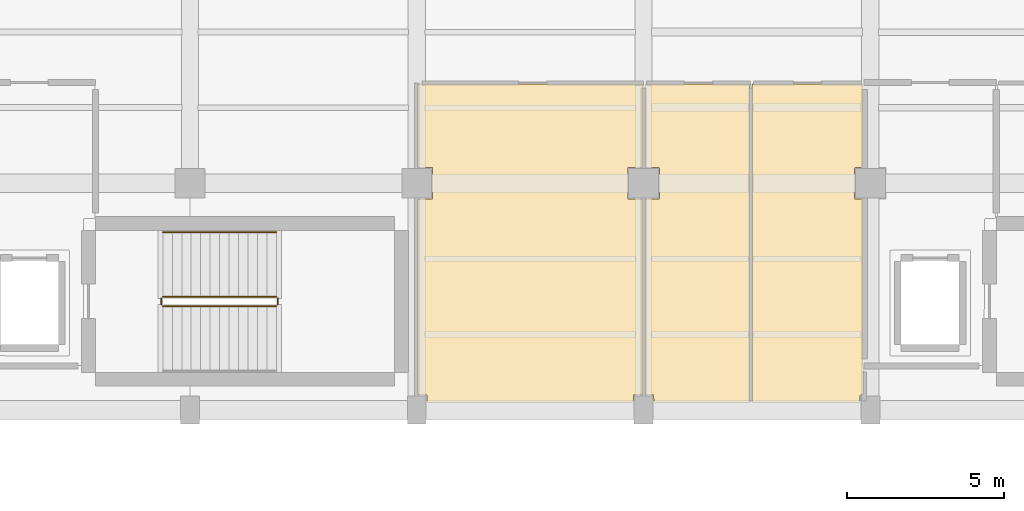
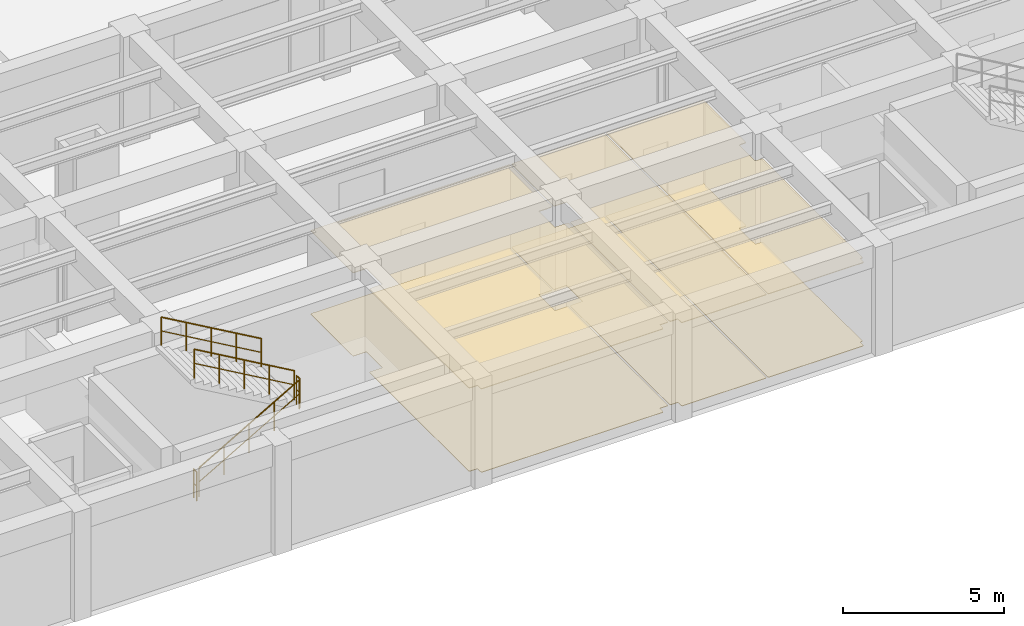
# One storey, part 30 of 34: 6 coverings, 5 railings.
"""IFC4 building model written with IfcOpenShell, lengths in metres."""

from ifc_helpers import new_model, si_unit, direction, frame, origin, origin_2d, place, context, subcontext, project, spatial, polyline, circle, outline, extrude, material, layer, layer_set, type_object, element, save


model = new_model("IFC4")

# Units and contexts
model_context = context("Model", 3, precision=1e-05, world=origin(), true_north=direction((0.0, 1.0)))
body_context = subcontext(model_context, "Body", "Model", "MODEL_VIEW")
ifc_project = project(units=[si_unit("LENGTHUNIT", "METRE"), si_unit("AREAUNIT", "SQUARE_METRE"), si_unit("VOLUMEUNIT", "CUBIC_METRE"), si_unit("PLANEANGLEUNIT", "RADIAN"), si_unit("MASSUNIT", "GRAM", prefix="KILO")], contexts=[model_context])

# Site, building, storey
site_placement = place(None, origin())
site = spatial("IfcSite", under=ifc_project, at=site_placement, CompositionType="ELEMENT")
building_placement = place(site_placement, origin())
building = spatial("IfcBuilding", under=site, at=building_placement, Name="Solenvale Faculty of Natural Sciences", CompositionType="ELEMENT")
storey_placement = place(building_placement, frame((0.0, 0.0, -4.5)))
storey = spatial("IfcBuildingStorey", under=building, at=storey_placement, Name="B01", CompositionType="ELEMENT", Elevation=-4.5)

# Coverings
ifc_material_1 = material(Name="Acoustic mineral-timber ceiling", Category="wood")
ifc_layer_1 = layer(ifc_material_1, 0.02490234375)
ifc_layer_set_1 = layer_set([ifc_layer_1], Name="Acoustic mineral-timber ceiling")
covering_type_1 = type_object("IfcCoveringType", Name="COV-CEIL-AC25", PredefinedType="CEILING", material=ifc_layer_set_1)
covering_1_placement = place(storey_placement, frame((0.0, 0.0, 3.1650390625)))
element("IfcCovering", 1, at=covering_1_placement, inside=storey, type_object=covering_type_1, Name="B01 Public Washroom Acoustic Ceiling", PredefinedType="CEILING", context=body_context, shape_type="SweptSolid", body=[
    extrude(outline(polyline([(122.35009765625, 103.9599609375), (122.37109375, 103.950927734375), (122.3798828125, 103.929931640625), (122.3798828125, 101.326904296875), (122.35302734375, 101.300048828125), (121.90087890625, 101.2939453125), (121.89990234375, 100.31103515625), (121.910888671875, 100.300048828125), (122.35302734375, 100.300048828125), (122.3798828125, 100.27294921875), (122.375, 94.087890625), (122.35302734375, 94.074951171875), (122.0791015625, 94.072998046875), (122.074951171875, 93.866943359375), (122.044921875, 93.840087890625), (115.5380859375, 93.844970703125), (115.52490234375, 93.866943359375), (115.52099609375, 94.072998046875), (115.2470703125, 94.074951171875), (115.219970703125, 94.10205078125), (115.219970703125, 100.27001953125), (115.2470703125, 100.300048828125), (115.698974609375, 100.305908203125), (115.699951171875, 101.2890625), (115.68896484375, 101.300048828125), (115.2470703125, 101.300048828125), (115.220947265625, 101.323974609375), (115.22509765625, 103.947021484375), (115.25, 103.9599609375), (122.35009765625, 103.9599609375)])), origin(), (0.0, 0.0, 1.0), 0.02490234375),
])
covering_2_placement = place(storey_placement, frame((0.0, 0.0, 3.1650390625)))
element("IfcCovering", 2, at=covering_2_placement, inside=storey, type_object=covering_type_1, Name="B01 Accessible Washroom Acoustic Ceiling", PredefinedType="CEILING", context=body_context, shape_type="SweptSolid", body=[
    extrude(outline(polyline([(125.75, 103.9599609375), (125.77099609375, 103.950927734375), (125.780029296875, 103.929931640625), (125.779052734375, 93.861083984375), (125.75, 93.840087890625), (122.74609375, 93.841064453125), (122.72509765625, 93.866943359375), (122.720947265625, 94.072998046875), (122.467041015625, 94.074951171875), (122.43994140625, 94.10498046875), (122.43994140625, 100.27001953125), (122.467041015625, 100.300048828125), (122.89892578125, 100.305908203125), (122.89990234375, 101.2890625), (122.888916015625, 101.300048828125), (122.467041015625, 101.300048828125), (122.44091796875, 101.323974609375), (122.44091796875, 103.93896484375), (122.469970703125, 103.9599609375), (125.75, 103.9599609375)])), origin(), (0.0, 0.0, 1.0), 0.02490234375),
])
covering_3_placement = place(storey_placement, frame((0.0, 0.0, 3.1650390625)))
element("IfcCovering", 3, at=covering_3_placement, inside=storey, type_object=covering_type_1, Name="B01 Staff Washroom Acoustic Ceiling", PredefinedType="CEILING", context=body_context, shape_type="SweptSolid", body=[
    extrude(outline(polyline([(129.330078125, 103.9599609375), (129.35107421875, 103.950927734375), (129.360107421875, 103.929931640625), (129.360107421875, 101.326904296875), (129.3330078125, 101.300048828125), (129.10009765625, 101.29296875), (129.10009765625, 100.31103515625), (129.111083984375, 100.300048828125), (129.3359375, 100.299072265625), (129.360107421875, 100.27001953125), (129.360107421875, 95.0), (129.3798828125, 94.950927734375), (129.37890625, 94.095947265625), (129.35888671875, 94.075927734375), (129.27587890625, 94.070068359375), (129.27490234375, 93.866943359375), (129.248046875, 93.840087890625), (125.861083984375, 93.841064453125), (125.840087890625, 93.8701171875), (125.841064453125, 103.93896484375), (125.8701171875, 103.9599609375), (129.330078125, 103.9599609375)])), origin(), (0.0, 0.0, 1.0), 0.02490234375),
])
ifc_material_2 = material(Name="Polished slate terrazzo flooring", Category="masonry")
ifc_layer_2 = layer(ifc_material_2, 0.01806640625)
ifc_layer_set_2 = layer_set([ifc_layer_2], Name="Polished slate terrazzo flooring")
covering_type_2 = type_object("IfcCoveringType", Name="COV-FLR-TRZ18", PredefinedType="FLOORING", material=ifc_layer_set_2)
covering_4_placement = place(storey_placement, origin())
element("IfcCovering", 4, at=covering_4_placement, inside=storey, type_object=covering_type_2, Name="B01 Public Washroom Floor Finish", PredefinedType="FLOORING", context=body_context, shape_type="SweptSolid", body=[
    extrude(outline(polyline([(122.35009765625, 103.9599609375), (122.37109375, 103.950927734375), (122.3798828125, 103.929931640625), (122.3798828125, 101.326904296875), (122.35302734375, 101.300048828125), (121.90087890625, 101.2939453125), (121.89990234375, 100.31103515625), (121.910888671875, 100.300048828125), (122.35302734375, 100.300048828125), (122.3798828125, 100.27294921875), (122.375, 94.087890625), (122.35302734375, 94.074951171875), (122.0791015625, 94.072998046875), (122.074951171875, 93.866943359375), (122.044921875, 93.840087890625), (115.5380859375, 93.844970703125), (115.52490234375, 93.866943359375), (115.52099609375, 94.072998046875), (115.2470703125, 94.074951171875), (115.219970703125, 94.10205078125), (115.219970703125, 100.27001953125), (115.2470703125, 100.300048828125), (115.698974609375, 100.305908203125), (115.699951171875, 101.2890625), (115.68896484375, 101.300048828125), (115.2470703125, 101.300048828125), (115.220947265625, 101.323974609375), (115.22509765625, 103.947021484375), (115.25, 103.9599609375), (122.35009765625, 103.9599609375)])), origin(), (0.0, 0.0, 1.0), 0.01806640625),
])
covering_5_placement = place(storey_placement, origin())
element("IfcCovering", 5, at=covering_5_placement, inside=storey, type_object=covering_type_2, Name="B01 Accessible Washroom Floor Finish", PredefinedType="FLOORING", context=body_context, shape_type="SweptSolid", body=[
    extrude(outline(polyline([(125.75, 103.9599609375), (125.77099609375, 103.950927734375), (125.780029296875, 103.929931640625), (125.779052734375, 93.861083984375), (125.75, 93.840087890625), (122.74609375, 93.841064453125), (122.72509765625, 93.866943359375), (122.720947265625, 94.072998046875), (122.467041015625, 94.074951171875), (122.43994140625, 94.10498046875), (122.43994140625, 100.27001953125), (122.467041015625, 100.300048828125), (122.89892578125, 100.305908203125), (122.89990234375, 101.2890625), (122.888916015625, 101.300048828125), (122.467041015625, 101.300048828125), (122.44091796875, 101.323974609375), (122.44091796875, 103.93896484375), (122.469970703125, 103.9599609375), (125.75, 103.9599609375)])), origin(), (0.0, 0.0, 1.0), 0.01806640625),
])
covering_6_placement = place(storey_placement, origin())
element("IfcCovering", 6, at=covering_6_placement, inside=storey, type_object=covering_type_2, Name="B01 Staff Washroom Floor Finish", PredefinedType="FLOORING", context=body_context, shape_type="SweptSolid", body=[
    extrude(outline(polyline([(129.330078125, 103.9599609375), (129.35107421875, 103.950927734375), (129.360107421875, 103.929931640625), (129.360107421875, 101.326904296875), (129.3330078125, 101.300048828125), (129.10009765625, 101.29296875), (129.10009765625, 100.31103515625), (129.111083984375, 100.300048828125), (129.3359375, 100.299072265625), (129.360107421875, 100.27001953125), (129.360107421875, 95.0), (129.3798828125, 94.950927734375), (129.37890625, 94.095947265625), (129.35888671875, 94.075927734375), (129.27587890625, 94.070068359375), (129.27490234375, 93.866943359375), (129.248046875, 93.840087890625), (125.861083984375, 93.841064453125), (125.840087890625, 93.8701171875), (125.841064453125, 103.93896484375), (125.8701171875, 103.9599609375), (129.330078125, 103.9599609375)])), origin(), (0.0, 0.0, 1.0), 0.01806640625),
])

# Railings
ifc_material_3 = material(Name="Stainless steel Grade 304", Category="steel")
railing_type_1 = type_object("IfcRailingType", Name="RL-GRD-1100", PredefinedType="GUARDRAIL", material=ifc_material_3)
railing_1_placement = place(storey_placement, frame((107.139892578125, 96.89990234375, 0.173095703125)))
element("IfcRailing", 7, at=railing_1_placement, inside=storey, type_object=railing_type_1, Name="B01 ST-04 stair guard 1", PredefinedType="GUARDRAIL", context=body_context, shape_type="SweptSolid", body=[
    extrude(circle(Radius=0.02392578125, at=origin_2d()), frame((0.0, 0.0, 1.09619140625), z_axis=(0.866193409371, 0.0, 0.499708892819), x_axis=(0.0, 1.0, 0.0)), (0.0, 0.0, 1.0), 4.15625),
    extrude(circle(Radius=0.01611328125, at=origin_2d()), frame((0.0, 0.0, 0.56005859375), z_axis=(0.866193409371, 0.0, 0.499708892819), x_axis=(0.0, 1.0, 0.0)), (0.0, 0.0, 1.0), 4.15625),
    extrude(circle(Radius=0.02099609375, at=origin_2d()), origin(), (0.0, 0.0, 1.0), 1.072021484375),
    extrude(circle(Radius=0.02099609375, at=origin_2d()), frame((0.89990234375, 0.0, 0.519287109375)), (0.0, 0.0, 1.0), 1.072021484375),
    extrude(circle(Radius=0.02099609375, at=origin_2d()), frame((1.800048828125, 0.0, 1.03857421875)), (0.0, 0.0, 1.0), 1.072021484375),
    extrude(circle(Radius=0.02099609375, at=origin_2d()), frame((2.7001953125, 0.0, 1.5576171875)), (0.0, 0.0, 1.0), 1.072021484375),
    extrude(circle(Radius=0.02099609375, at=origin_2d()), frame((3.60009765625, 0.0, 2.076904296875)), (0.0, 0.0, 1.0), 1.072021484375),
])
railing_2_placement = place(storey_placement, frame((110.7900390625, 96.949951171875, 2.25)))
element("IfcRailing", 8, at=railing_2_placement, inside=storey, type_object=railing_type_1, Name="B01 ST-04 stair guard 2", PredefinedType="GUARDRAIL", context=body_context, shape_type="SweptSolid", body=[
    extrude(circle(Radius=0.02392578125, at=origin_2d()), frame((0.0, 0.0, 1.09619140625), z_axis=(0.0, 1.0, 0.0), x_axis=(-1.0, 0.0, 0.0)), (0.0, 0.0, 1.0), 0.199951171875),
    extrude(circle(Radius=0.01611328125, at=origin_2d()), frame((0.0, 0.0, 0.56005859375), z_axis=(0.0, 1.0, 0.0), x_axis=(-1.0, 0.0, 0.0)), (0.0, 0.0, 1.0), 0.199951171875),
    extrude(circle(Radius=0.02099609375, at=origin_2d()), origin(), (0.0, 0.0, 1.0), 1.072021484375),
    extrude(circle(Radius=0.02099609375, at=origin_2d()), frame((0.0, 0.199951171875, 0.0)), (0.0, 0.0, 1.0), 1.072021484375),
])
railing_3_placement = place(storey_placement, frame((110.739990234375, 97.199951171875, 2.423095703125)))
element("IfcRailing", 9, at=railing_3_placement, inside=storey, type_object=railing_type_1, Name="B01 ST-04 stair guard 3", PredefinedType="GUARDRAIL", context=body_context, shape_type="SweptSolid", body=[
    extrude(circle(Radius=0.02392578125, at=origin_2d()), frame((0.0, 0.0, 1.09619140625), z_axis=(-0.866193409371, 0.0, 0.499708892819), x_axis=(0.0, -1.0, 0.0)), (0.0, 0.0, 1.0), 4.15625),
    extrude(circle(Radius=0.01611328125, at=origin_2d()), frame((0.0, 0.0, 0.56005859375), z_axis=(-0.866193409371, 0.0, 0.499708892819), x_axis=(0.0, -1.0, 0.0)), (0.0, 0.0, 1.0), 4.15625),
    extrude(circle(Radius=0.02099609375, at=origin_2d()), origin(), (0.0, 0.0, 1.0), 1.072021484375),
    extrude(circle(Radius=0.02099609375, at=origin_2d()), frame((-0.89990234375, 0.0, 0.519287109375)), (0.0, 0.0, 1.0), 1.072021484375),
    extrude(circle(Radius=0.02099609375, at=origin_2d()), frame((-1.800048828125, 0.0, 1.03857421875)), (0.0, 0.0, 1.0), 1.072021484375),
    extrude(circle(Radius=0.02099609375, at=origin_2d()), frame((-2.7001953125, 0.0, 1.5576171875)), (0.0, 0.0, 1.0), 1.072021484375),
    extrude(circle(Radius=0.02099609375, at=origin_2d()), frame((-3.60009765625, 0.0, 2.076904296875)), (0.0, 0.0, 1.0), 1.072021484375),
])
railing_4_placement = place(storey_placement, frame((107.090087890625, 96.949951171875, 0.0)))
element("IfcRailing", 10, at=railing_4_placement, inside=storey, type_object=railing_type_1, Name="B01 ST-04 stair guard 4", PredefinedType="GUARDRAIL", context=body_context, shape_type="SweptSolid", body=[
    extrude(circle(Radius=0.02392578125, at=origin_2d()), frame((0.0, 0.0, 1.09619140625), z_axis=(0.0, 1.0, 0.0), x_axis=(-1.0, 0.0, 0.0)), (0.0, 0.0, 1.0), 0.199951171875),
    extrude(circle(Radius=0.01611328125, at=origin_2d()), frame((0.0, 0.0, 0.56005859375), z_axis=(0.0, 1.0, 0.0), x_axis=(-1.0, 0.0, 0.0)), (0.0, 0.0, 1.0), 0.199951171875),
    extrude(circle(Radius=0.02099609375, at=origin_2d()), origin(), (0.0, 0.0, 1.0), 1.072021484375),
    extrude(circle(Radius=0.02099609375, at=origin_2d()), frame((0.0, 0.199951171875, 0.0)), (0.0, 0.0, 1.0), 1.072021484375),
])
railing_type_2 = type_object("IfcRailingType", Name="RL-HND-900", PredefinedType="HANDRAIL", material=ifc_material_3)
railing_5_placement = place(storey_placement, frame((110.739990234375, 99.25, 2.423095703125)))
element("IfcRailing", 11, at=railing_5_placement, inside=storey, type_object=railing_type_2, Name="B01 ST-04 stair handrail 2", PredefinedType="HANDRAIL", context=body_context, shape_type="SweptSolid", body=[
    extrude(circle(Radius=0.02392578125, at=origin_2d()), frame((0.0, 0.0, 1.0732421875), z_axis=(-0.866193409371, 0.0, 0.499708892819), x_axis=(0.0, -1.0, 0.0)), (0.0, 0.0, 1.0), 4.15625),
    extrude(circle(Radius=0.01611328125, at=origin_2d()), frame((0.0, 0.0, 0.548583984375), z_axis=(-0.866193409371, 0.0, 0.499708892819), x_axis=(0.0, -1.0, 0.0)), (0.0, 0.0, 1.0), 4.15625),
    extrude(circle(Radius=0.02099609375, at=origin_2d()), origin(), (0.0, 0.0, 1.0), 1.049072265625),
    extrude(circle(Radius=0.02099609375, at=origin_2d()), frame((-0.89990234375, 0.0, 0.519287109375)), (0.0, 0.0, 1.0), 1.049072265625),
    extrude(circle(Radius=0.02099609375, at=origin_2d()), frame((-1.800048828125, 0.0, 1.03857421875)), (0.0, 0.0, 1.0), 1.049072265625),
    extrude(circle(Radius=0.02099609375, at=origin_2d()), frame((-2.7001953125, 0.0, 1.5576171875)), (0.0, 0.0, 1.0), 1.049072265625),
    extrude(circle(Radius=0.02099609375, at=origin_2d()), frame((-3.60009765625, 0.0, 2.076904296875)), (0.0, 0.0, 1.0), 1.049072265625),
])

save(model, "model.ifc")
